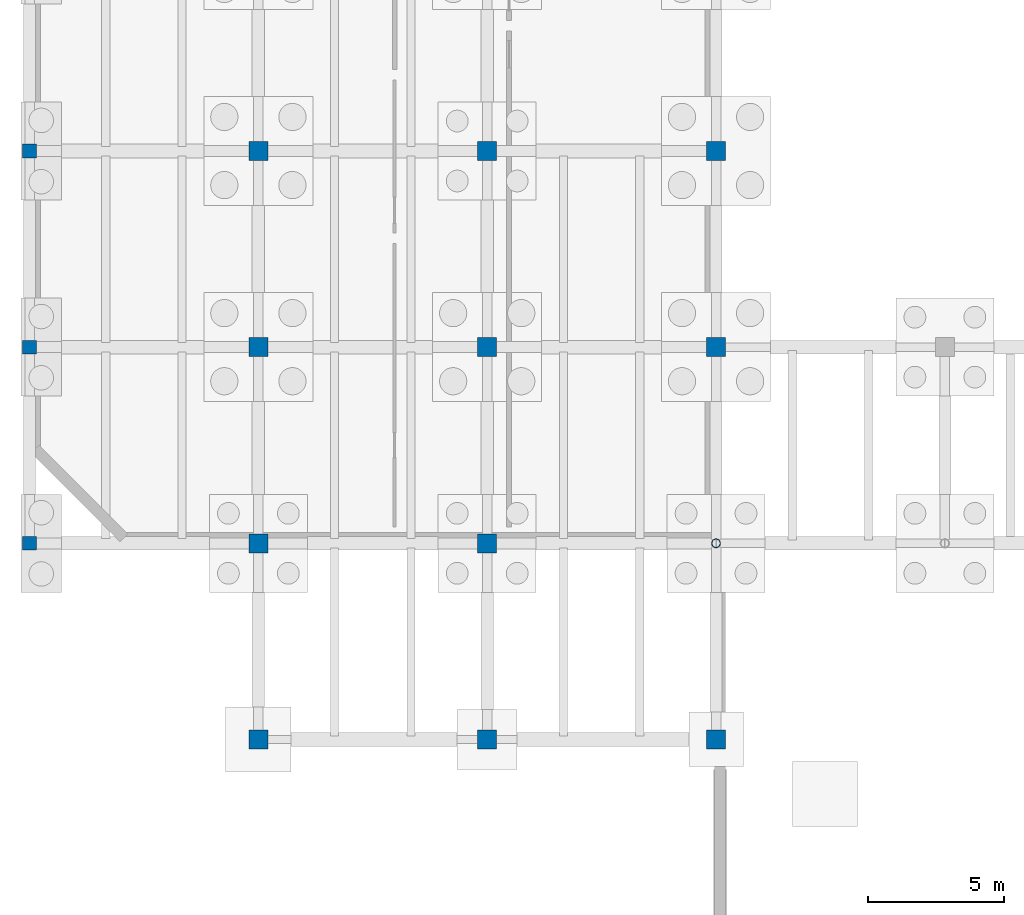
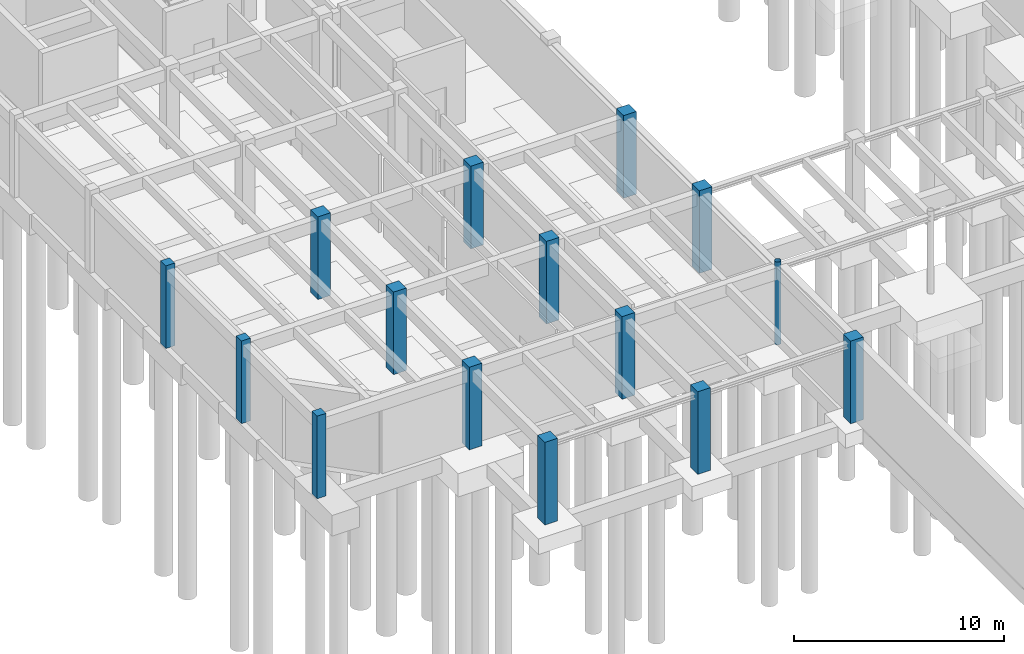
# One storey, part 12 of 46: 15 columns.
"""IFC4 building model written with IfcOpenShell, lengths in metres."""

import ifcopenshell
import ifcopenshell.guid

model = None  # the IFC model being written
_history = None  # IfcOwnerHistory: only IFC2X3 demands one
_inside = {}  # id of a spatial element -> (the spatial element, [elements in it])
_under = {}  # id of a project, library or spatial element -> (it, [spatial elements below it])
_declared = {}  # id of a project -> (the project, [libraries it declares])
_typed = {}  # id of a type object -> (the type object, [elements of that type])
_made_of = {}  # id of a material, layer set ... -> (it, [elements and type objects made of it])


def new_model(schema):
    """Start an empty IFC model of exactly this schema.

    Asked for "IFC4X3", IfcOpenShell would pick the latest addendum, in which some entities
    have other attributes; the version numbers below select the first issue.
    IFC2X3 requires an IfcOwnerHistory on every rooted entity: one is made here for all.
    """
    global model, _history
    if schema == "IFC4X3":
        model = ifcopenshell.file(schema_version=(4, 3, 0, 0))
    else:
        model = ifcopenshell.file(schema=schema)
    _inside.clear()
    _under.clear()
    _declared.clear()
    _typed.clear()
    _made_of.clear()
    _history = None
    if model.schema == "IFC2X3":
        org = make("IfcOrganization", Name="unknown")
        user = make(
            "IfcPersonAndOrganization",
            ThePerson=make("IfcPerson", FamilyName="unknown"),
            TheOrganization=org,
        )
        app = make(
            "IfcApplication",
            ApplicationDeveloper=org,
            Version="unknown",
            ApplicationFullName="unknown",
            ApplicationIdentifier="unknown",
        )
        _history = make(
            "IfcOwnerHistory",
            OwningUser=user,
            OwningApplication=app,
            ChangeAction="ADDED",
            CreationDate=0,
        )
    return model


def make(cls, **values):
    """One entity of the class cls with the attributes given. An attribute that is None is left unset."""
    return model.create_entity(
        cls, **{name: value for name, value in values.items() if value is not None}
    )


def rooted(cls, **values):
    """An entity with a GlobalId (a new one), such as an element, a storey or a relation."""
    return make(cls, GlobalId=ifcopenshell.guid.new(), OwnerHistory=_history, **values)


def si_unit(unit_type, name, prefix=None):
    """IfcSIUnit, for example si_unit("LENGTHUNIT", "METRE", prefix="MILLI")."""
    return make("IfcSIUnit", UnitType=unit_type, Prefix=prefix, Name=name)


def assignment(units):
    """IfcUnitAssignment: the units of a project."""
    return None if units is None else make("IfcUnitAssignment", Units=units)


def point(xyz):
    """IfcCartesianPoint."""
    return None if xyz is None else make("IfcCartesianPoint", Coordinates=xyz)


def direction(xyz):
    """IfcDirection."""
    return None if xyz is None else make("IfcDirection", DirectionRatios=xyz)


def frame(location, z_axis=None, x_axis=None):
    """IfcAxis2Placement3D, a coordinate frame: its origin and axes. An axis left out is left unset."""
    return make(
        "IfcAxis2Placement3D",
        Location=point(location),
        Axis=direction(z_axis),
        RefDirection=direction(x_axis),
    )


def frame_2d(location, x_axis=None):
    """IfcAxis2Placement2D, a coordinate frame in the plane: its origin and x axis."""
    return make(
        "IfcAxis2Placement2D", Location=point(location), RefDirection=direction(x_axis)
    )


def origin():
    """The frame at (0, 0, 0) with its axes left unset."""
    return frame((0.0, 0.0, 0.0))


def origin_2d():
    """The frame at (0, 0) in the plane with its x axis left unset."""
    return frame_2d((0.0, 0.0))


def place(relative_to, where):
    """IfcLocalPlacement: puts the frame where relative to a parent placement (None: the world)."""
    return make(
        "IfcLocalPlacement", PlacementRelTo=relative_to, RelativePlacement=where
    )


def context(
    kind, dimensions, precision=None, world=None, true_north=None, identifier=None
):
    """IfcGeometricRepresentationContext, for example the 3D "Model" context."""
    return make(
        "IfcGeometricRepresentationContext",
        ContextIdentifier=identifier,
        ContextType=kind,
        CoordinateSpaceDimension=dimensions,
        Precision=precision,
        WorldCoordinateSystem=world,
        TrueNorth=true_north,
    )


def subcontext(parent, identifier, kind, view, scale=None):
    """IfcGeometricRepresentationSubContext, for example "Body" below "Model"."""
    return make(
        "IfcGeometricRepresentationSubContext",
        ContextIdentifier=identifier,
        ContextType=kind,
        ParentContext=parent,
        TargetScale=scale,
        TargetView=view,
    )


def project(units=None, contexts=None):
    """IfcProject with its units and contexts."""
    return rooted(
        "IfcProject",
        Name="project",
        RepresentationContexts=contexts,
        UnitsInContext=assignment(units),
    )


def spatial(cls, under=None, at=None, **own):
    """A site, building, storey or space (cls), placed at a placement, below another one or the project."""
    s = rooted(cls, ObjectPlacement=at, **own)
    if under is not None:
        _under.setdefault(under.id(), (under, []))[1].append(s)
    return s


def profile(cls, at=None, kind="AREA", **sizes):
    """A parametric profile (cls). Its sizes go by their IFC names, for example OverallWidth=200.0."""
    return make(cls, ProfileType=kind, Position=at, **sizes)


def rectangle(**sizes):
    """IfcRectangleProfileDef."""
    return profile("IfcRectangleProfileDef", **sizes)


def hollow_circle(**sizes):
    """IfcCircleHollowProfileDef."""
    return profile("IfcCircleHollowProfileDef", **sizes)


def extrude(swept, where, along, depth):
    """IfcExtrudedAreaSolid: the profile swept, set in the frame where, extruded along a direction by depth."""
    return make(
        "IfcExtrudedAreaSolid",
        SweptArea=swept,
        Position=where,
        ExtrudedDirection=direction(along),
        Depth=depth,
    )


def shape(context_of_items, identifier, shape_type, items):
    """IfcShapeRepresentation: the items that make up one representation, for example the "Body"."""
    return make(
        "IfcShapeRepresentation",
        ContextOfItems=context_of_items,
        RepresentationIdentifier=identifier,
        RepresentationType=shape_type,
        Items=items,
    )


def material(Name=None, Category=None):
    """IfcMaterial."""
    return make("IfcMaterial", Name=Name, Category=Category)


def material_profile(
    of_material, cross_section, Name=None, Category=None, Priority=None
):
    """IfcMaterialProfile: a cross section and its material."""
    return make(
        "IfcMaterialProfile",
        Name=Name,
        Material=of_material,
        Profile=cross_section,
        Priority=Priority,
        Category=Category,
    )


def profile_set(profiles, Name=None, composite=None):
    """IfcMaterialProfileSet."""
    return make(
        "IfcMaterialProfileSet",
        Name=Name,
        MaterialProfiles=profiles,
        CompositeProfile=composite,
    )


def made_of(thing, what):
    """Note that an element or type object is made of a material, layer set ...; save() writes the relation."""
    if what is not None:
        _made_of.setdefault(what.id(), (what, []))[1].append(thing)
    return thing


def type_object(cls, material=None, **own):
    """A type object (cls), such as IfcWallType, which elements share."""
    return made_of(rooted(cls, **own), material)


def element(
    cls,
    number,
    at=None,
    inside=None,
    cuts=None,
    type_object=None,
    material=None,
    context=None,
    identifier="Body",
    shape_type=None,
    held_by="IfcProductDefinitionShape",
    body=None,
    shapes=None,
    **own,
):
    """One element of the class cls, such as IfcWall. Its Tag is "e" and its number.

    at: its placement. inside: the storey or other place that contains it. cuts: it is an
    opening in that element (IfcRelVoidsElement). A single representation is given by context,
    identifier, shape_type and body (its items); several are given by shapes. held_by: the class
    of the entity that holds the representations. save() writes the other relations.
    """
    e = rooted(cls, Tag="e%d" % number, ObjectPlacement=at, **own)
    if body is not None:
        shapes = [shape(context, identifier, shape_type, body)]
    if shapes is not None:
        e.Representation = make(held_by, Representations=shapes)
    if inside is not None:
        _inside.setdefault(inside.id(), (inside, []))[1].append(e)
    if cuts is not None:
        rooted(
            "IfcRelVoidsElement", RelatingBuildingElement=cuts, RelatedOpeningElement=e
        )
    if type_object is not None:
        _typed.setdefault(type_object.id(), (type_object, []))[1].append(e)
    return made_of(e, material)


def aggregate(whole, parts):
    """IfcRelAggregates: a whole, such as a stair, and the parts it consists of."""
    return rooted("IfcRelAggregates", RelatingObject=whole, RelatedObjects=parts)


def save(model, path):
    """Write the relations noted so far, then the file.

    IfcRelAggregates (storeys below a building ...), IfcRelContainedInSpatialStructure (elements
    in a storey), IfcRelDefinesByType, IfcRelAssociatesMaterial and IfcRelDeclares: one each for
    every whole, place, type object, material and project.
    """
    for whole, parts in _under.values():
        aggregate(whole, parts)
    for where, things in _inside.values():
        rooted(
            "IfcRelContainedInSpatialStructure",
            RelatedElements=things,
            RelatingStructure=where,
        )
    for kind, things in _typed.values():
        rooted("IfcRelDefinesByType", RelatedObjects=things, RelatingType=kind)
    for what, things in _made_of.values():
        rooted("IfcRelAssociatesMaterial", RelatedObjects=things, RelatingMaterial=what)
    for by, libraries in _declared.values():
        rooted("IfcRelDeclares", RelatingContext=by, RelatedDefinitions=libraries)
    model.write(path)


model = new_model("IFC4")

# Units and contexts
model_context = context("Model", 3, precision=1e-05, world=origin(), true_north=direction((0.0, 1.0)))
body_context = subcontext(model_context, "Body", "Model", "MODEL_VIEW")
ifc_project = project(units=[si_unit("LENGTHUNIT", "METRE"), si_unit("AREAUNIT", "SQUARE_METRE"), si_unit("VOLUMEUNIT", "CUBIC_METRE"), si_unit("PLANEANGLEUNIT", "RADIAN"), si_unit("MASSUNIT", "GRAM", prefix="KILO")], contexts=[model_context])

# Site, building, storey
site_placement = place(None, origin())
site = spatial("IfcSite", under=ifc_project, at=site_placement, CompositionType="ELEMENT")
building_placement = place(site_placement, origin())
building = spatial("IfcBuilding", under=site, at=building_placement, Name="Tazoul Stagehouse", CompositionType="ELEMENT")
storey_placement = place(building_placement, frame((0.0, 0.0, -4.800048828125)))
storey = spatial("IfcBuildingStorey", under=building, at=storey_placement, Name="B1", CompositionType="ELEMENT", Elevation=-4.800048828125)

# Columns
ifc_material_1 = material(Name="Concrete C40/50", Category="concrete")
ifc_material_profile_1 = material_profile(ifc_material_1, rectangle(XDim=0.5, YDim=0.5, at=origin_2d()), Name="RC 500x500")
ifc_profile_set_1 = profile_set([ifc_material_profile_1], Name="Concrete C40/50")
column_type_1 = type_object("IfcColumnType", Name="RC Column 500x500 (Exterior)", PredefinedType="COLUMN", material=ifc_profile_set_1)
for number, where, z_axis, x_axis, name in (
    (1, (2.39990234375, 44.60009765625, 0.0), (0.0, 0.0, 1.0), (1.0, 0.0, 0.0), "B1 Column C-02E at 1/G"),
    (2, (2.39990234375, 51.800048828125, 0.0), (0.0, 0.0, 1.0), (1.0, 0.0, 0.0), "B1 Column C-02E at 1/H"),
    (3, (2.39990234375, 59.0, 0.0), (0.0, 0.0, 1.0), (1.0, 0.0, 0.0), "B1 Column C-02E at 1/J"),
):
    element("IfcColumn", number, at=place(storey_placement, frame(where, z_axis=z_axis, x_axis=x_axis)), inside=storey, type_object=column_type_1, Name=name, PredefinedType="COLUMN", context=body_context, shape_type="SweptSolid", body=[
        extrude(rectangle(XDim=0.5, YDim=0.5, at=origin_2d()), origin(), (0.0, 0.0, 1.0), 4.800048828125),
    ])
ifc_material_profile_2 = material_profile(ifc_material_1, rectangle(XDim=0.699951171875, YDim=0.699951171875, at=origin_2d()), Name="RC 700x700")
ifc_profile_set_2 = profile_set([ifc_material_profile_2], Name="Concrete C40/50")
column_type_2 = type_object("IfcColumnType", Name="RC Column 700x700", PredefinedType="COLUMN", material=ifc_profile_set_2)
for number, where, z_axis, x_axis, name in (
    (4, (10.800048828125, 51.800048828125, 0.0), (0.0, 0.0, 1.0), (1.0, 0.0, 0.0), "B1 Column C-04 at 2/H"),
    (5, (10.800048828125, 59.0, 0.0), (0.0, 0.0, 1.0), (1.0, 0.0, 0.0), "B1 Column C-04 at 2/J"),
    (6, (19.199951171875, 51.800048828125, 0.0), (0.0, 0.0, 1.0), (1.0, 0.0, 0.0), "B1 Column C-04 at 3/H"),
    (7, (19.199951171875, 59.0, 0.0), (0.0, 0.0, 1.0), (1.0, 0.0, 0.0), "B1 Column C-04 at 3/J"),
):
    element("IfcColumn", number, at=place(storey_placement, frame(where, z_axis=z_axis, x_axis=x_axis)), inside=storey, type_object=column_type_2, Name=name, PredefinedType="COLUMN", context=body_context, shape_type="SweptSolid", body=[
        extrude(rectangle(XDim=0.699951171875, YDim=0.699951171875, at=origin_2d()), origin(), (0.0, 0.0, 1.0), 4.800048828125),
    ])
ifc_material_profile_3 = material_profile(ifc_material_1, rectangle(XDim=0.699951171875, YDim=0.699951171875, at=origin_2d()), Name="RC 700x700")
ifc_profile_set_3 = profile_set([ifc_material_profile_3], Name="Concrete C40/50")
column_type_3 = type_object("IfcColumnType", Name="RC Column 700x700 (Exterior)", PredefinedType="COLUMN", material=ifc_profile_set_3)
for number, where, z_axis, x_axis, name in (
    (8, (10.800048828125, 37.39990234375, 0.0), (0.0, 0.0, 1.0), (1.0, 0.0, 0.0), "B1 Column C-04E at 2/F"),
    (9, (10.800048828125, 44.60009765625, 0.0), (0.0, 0.0, 1.0), (1.0, 0.0, 0.0), "B1 Column C-04E at 2/G"),
    (10, (19.199951171875, 37.39990234375, 0.0), (0.0, 0.0, 1.0), (1.0, 0.0, 0.0), "B1 Column C-04E at 3/F"),
    (11, (19.199951171875, 44.60009765625, 0.0), (0.0, 0.0, 1.0), (1.0, 0.0, 0.0), "B1 Column C-04E at 3/G"),
    (12, (27.60009765625, 37.39990234375, 0.0), (0.0, 0.0, 1.0), (1.0, 0.0, 0.0), "B1 Column C-04E at 4/F"),
    (13, (27.60009765625, 51.800048828125, 0.0), (0.0, 0.0, 1.0), (1.0, 0.0, 0.0), "B1 Column C-04E at 4/H"),
    (14, (27.60009765625, 59.0, 0.0), (0.0, 0.0, 1.0), (1.0, 0.0, 0.0), "B1 Column C-04E at 4/J"),
):
    element("IfcColumn", number, at=place(storey_placement, frame(where, z_axis=z_axis, x_axis=x_axis)), inside=storey, type_object=column_type_3, Name=name, PredefinedType="COLUMN", context=body_context, shape_type="SweptSolid", body=[
        extrude(rectangle(XDim=0.699951171875, YDim=0.699951171875, at=origin_2d()), origin(), (0.0, 0.0, 1.0), 4.800048828125),
    ])
ifc_material_2 = material(Name="Steel S355", Category="steel")
ifc_material_profile_4 = material_profile(ifc_material_2, hollow_circle(Radius=0.161865234375, WallThickness=0.012451171875, at=origin_2d()), Name="CHS 323.9x12.5")
ifc_profile_set_4 = profile_set([ifc_material_profile_4], Name="Steel S355")
column_type_4 = type_object("IfcColumnType", Name="Steel Arcade Column CHS 323.9x12.5 (Exterior)", PredefinedType="COLUMN", material=ifc_profile_set_4)
column_placement = place(storey_placement, frame((27.60009765625, 44.60009765625, 0.0), z_axis=(0.0, 0.0, 1.0), x_axis=(1.0, 0.0, 0.0)))
element("IfcColumn", 15, at=column_placement, inside=storey, type_object=column_type_4, Name="B1 Column SC-07E at 4/G", PredefinedType="COLUMN", context=body_context, shape_type="SweptSolid", body=[
    extrude(hollow_circle(Radius=0.161865234375, WallThickness=0.012451171875, at=origin_2d()), origin(), (0.0, 0.0, 1.0), 4.800048828125),
])

save(model, "model.ifc")
